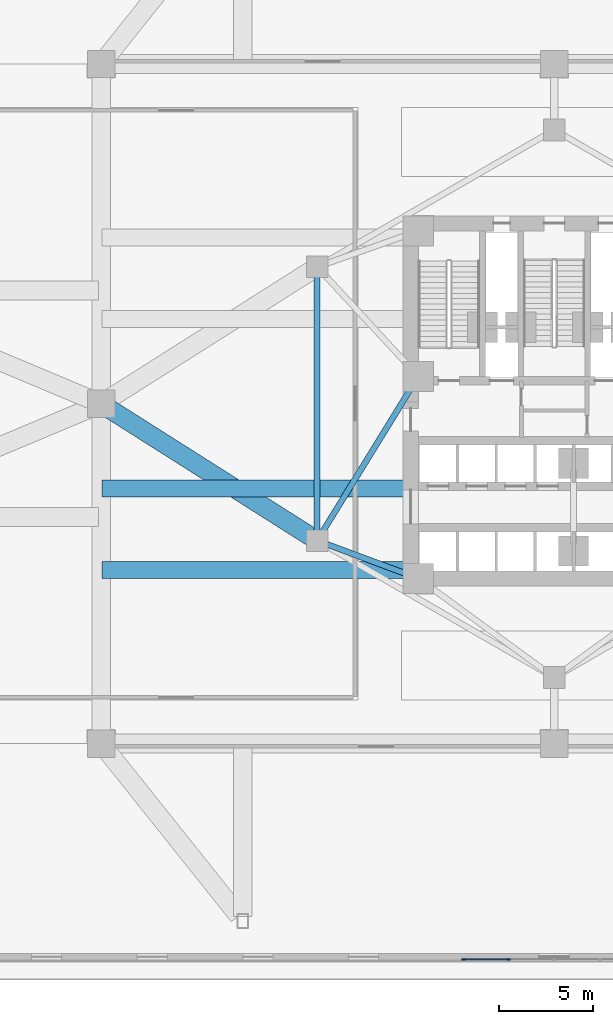
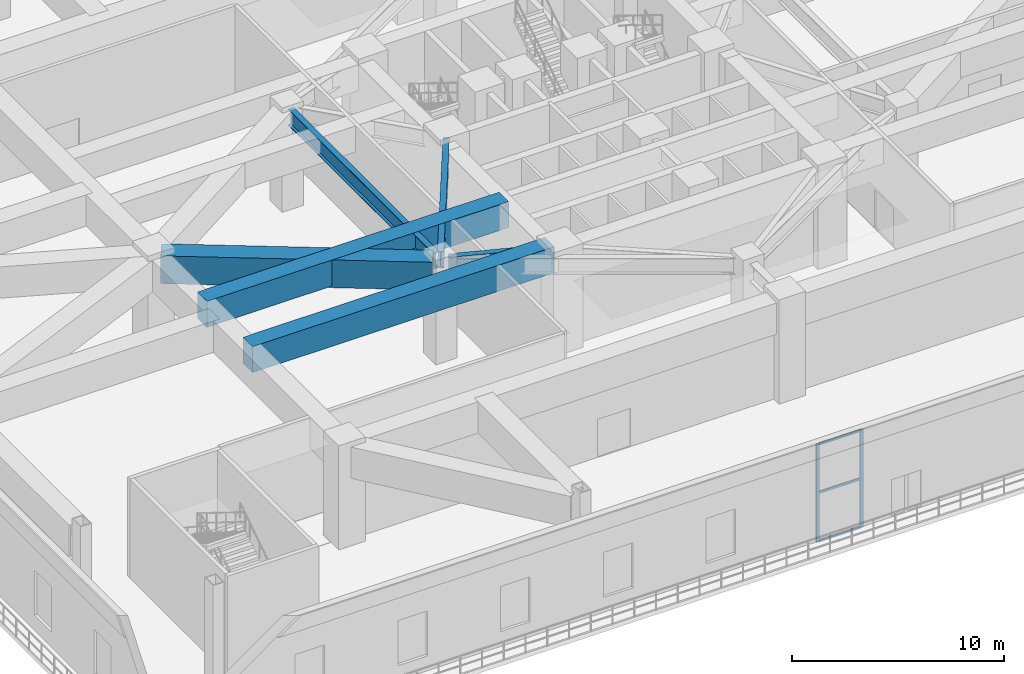
# One storey, part 3 of 25: 6 beams, 5 members, 1 element without a shape of its own.
"""IFC4 building model written with IfcOpenShell, lengths in metres."""

from ifc_helpers import new_model, si_unit, direction, frame, origin, origin_2d, place, context, subcontext, project, spatial, rectangle, hollow_rectangle, i_section, extrude, material, layer, layer_set, material_profile, profile_set, type_object, element, aggregate, save


model = new_model("IFC4")

# Units and contexts
model_context = context("Model", 3, precision=1e-05, world=origin(), true_north=direction((0.0, 1.0)))
body_context = subcontext(model_context, "Body", "Model", "MODEL_VIEW")
ifc_project = project(units=[si_unit("LENGTHUNIT", "METRE"), si_unit("AREAUNIT", "SQUARE_METRE"), si_unit("VOLUMEUNIT", "CUBIC_METRE"), si_unit("PLANEANGLEUNIT", "RADIAN"), si_unit("MASSUNIT", "GRAM", prefix="KILO")], contexts=[model_context])

# Site, building, storey
site_placement = place(None, origin())
site = spatial("IfcSite", under=ifc_project, at=site_placement, CompositionType="ELEMENT")
building_placement = place(site_placement, origin())
building = spatial("IfcBuilding", under=site, at=building_placement, Name="Apsidion Concourse Tower", CompositionType="ELEMENT")
storey_placement = place(building_placement, frame((0.0, 0.0, 11.5)))
storey = spatial("IfcBuildingStorey", under=building, at=storey_placement, Name="L02", CompositionType="ELEMENT", Elevation=11.5)

# Beams
ifc_material_1 = material(Name="Structural steel ASTM A992 Grade 50", Category="steel")
ifc_material_profile_1 = material_profile(ifc_material_1, i_section(OverallWidth=0.31005859375, OverallDepth=0.931884765625, WebThickness=0.02099609375, FlangeThickness=0.034423828125, at=origin_2d()), Name="W36X210")
ifc_profile_set_1 = profile_set([ifc_material_profile_1], Name="Structural steel ASTM A992 Grade 50")
beam_type_1 = type_object("IfcBeamType", Name="BM-G-W36", PredefinedType="USERDEFINED", material=ifc_profile_set_1)
beam_1_placement = place(storey_placement, frame((-12.185302734375, -7.389892578125, 5.23388671875), z_axis=(0.936913021145, -0.349562570664, 0.0), x_axis=(0.349562570664, 0.936913021145, 0.0)))
element("IfcBeam", 1, at=beam_1_placement, inside=storey, type_object=beam_type_1, Name="L02 Core Coupling Girder IC1-SC1", ObjectType="GIRDER", PredefinedType="USERDEFINED", context=body_context, shape_type="SweptSolid", body=[
    extrude(i_section(OverallWidth=0.31005859375, OverallDepth=0.931884765625, WebThickness=0.02099609375, FlangeThickness=0.034423828125, at=origin_2d()), origin(), (0.0, 0.0, 1.0), 4.921142578125),
])
beam_2_placement = place(storey_placement, frame((-12.35009765625, -6.909423828125, 5.23388671875), z_axis=(0.524524009763, 0.851395656074, 0.0), x_axis=(-0.851395656074, 0.524524009763, 0.0)))
element("IfcBeam", 2, at=beam_2_placement, inside=storey, type_object=beam_type_1, Name="L02 Core Coupling Girder IC1-SC6", ObjectType="GIRDER", PredefinedType="USERDEFINED", context=body_context, shape_type="SweptSolid", body=[
    extrude(i_section(OverallWidth=0.31005859375, OverallDepth=0.931884765625, WebThickness=0.02099609375, FlangeThickness=0.034423828125, at=origin_2d()), origin(), (0.0, 0.0, 1.0), 9.41845703125),
])
beam_3_placement = place(storey_placement, frame((-12.56005859375, -6.85009765625, 5.23388671875), z_axis=(0.0, 1.0, 0.0), x_axis=(-1.0, 0.0, 0.0)))
element("IfcBeam", 3, at=beam_3_placement, inside=storey, type_object=beam_type_1, Name="L02 Core Coupling Girder IC1-IC5", ObjectType="GIRDER", PredefinedType="USERDEFINED", context=body_context, shape_type="SweptSolid", body=[
    extrude(i_section(OverallWidth=0.31005859375, OverallDepth=0.931884765625, WebThickness=0.02099609375, FlangeThickness=0.034423828125, at=origin_2d()), origin(), (0.0, 0.0, 1.0), 13.7001953125),
])
ifc_material_2 = material(Name="Concrete C50/60", Category="concrete")
ifc_material_profile_2 = material_profile(ifc_material_2, rectangle(XDim=0.89990234375, YDim=1.5, at=origin_2d()), Name="RC 900x1500")
ifc_profile_set_2 = profile_set([ifc_material_profile_2], Name="Concrete C50/60")
beam_type_2 = type_object("IfcBeamType", Name="BM-TB-RC15", PredefinedType="T_BEAM", material=ifc_profile_set_2)
for number, where, z_axis, x_axis, name in (
    (4, (-23.949951171875, -8.800048828125, 4.949951171875), (1.0, 0.0, 0.0), (0.0, 1.0, 0.0), "L02 Convention Long-Span Tee Beam W1"),
    (5, (-23.949951171875, -4.5, 4.949951171875), (1.0, 0.0, 0.0), (0.0, 1.0, 0.0), "L02 Convention Long-Span Tee Beam W2"),
):
    element("IfcBeam", number, at=place(storey_placement, frame(where, z_axis=z_axis, x_axis=x_axis)), inside=storey, type_object=beam_type_2, Name=name, PredefinedType="T_BEAM", context=body_context, shape_type="SweptSolid", body=[
        extrude(rectangle(XDim=0.89990234375, YDim=1.5, at=origin_2d()), origin(), (0.0, 0.0, 1.0), 16.449951171875),
    ])
ifc_material_3 = material(Name="Structural steel ASTM A572 Grade 50", Category="steel")
ifc_material_profile_3 = material_profile(ifc_material_3, hollow_rectangle(XDim=1.0, YDim=1.60009765625, WallThickness=0.074951171875, at=origin_2d()), Name="BOX1600X1000X75")
ifc_profile_set_3 = profile_set([ifc_material_profile_3], Name="Structural steel ASTM A572 Grade 50")
beam_type_3 = type_object("IfcBeamType", Name="BM-TR-1600", PredefinedType="USERDEFINED", material=ifc_profile_set_3)
beam_4_placement = place(storey_placement, frame((-23.704345703125, -0.1875, 4.89990234375), z_axis=(0.844671254714, -0.535285411215, 0.0), x_axis=(0.535285411215, 0.844671254714, 0.0)))
element("IfcBeam", 6, at=beam_4_placement, inside=storey, type_object=beam_type_3, Name="L02 Podium Girder MC3-IC1", ObjectType="GIRDER", PredefinedType="USERDEFINED", context=body_context, shape_type="SweptSolid", body=[
    extrude(hollow_rectangle(XDim=1.0, YDim=1.60009765625, WallThickness=0.074951171875, at=origin_2d()), origin(), (0.0, 0.0, 1.0), 12.843505859375),
])

# Curtain wall, members
ifc_material_4 = material(Name="Insulated laminated low-E glass", Category="glass")
ifc_layer = layer(ifc_material_4, 0.199951171875)
ifc_layer_set = layer_set([ifc_layer], Name="Insulated laminated low-E glass")
curtain_wall_type = type_object("IfcCurtainWallType", Name="CW-SYS-02", PredefinedType="NOTDEFINED", material=ifc_layer_set)
curtain_wall_placement = place(storey_placement, origin())
curtain_wall = element("IfcCurtainWall", 7, at=curtain_wall_placement, inside=storey, type_object=curtain_wall_type, Name="L02 Podium Glazed Curtain Wall S", PredefinedType="NOTDEFINED")
ifc_material_5 = material(Name="Anodised aluminium EN AW-6063 T6", Category="aluminium")
ifc_material_profile_4 = material_profile(ifc_material_5, rectangle(XDim=0.06494140625, YDim=0.179931640625, at=origin_2d()), Name="ALU MULLION 65x180")
ifc_profile_set_4 = profile_set([ifc_material_profile_4], Name="Anodised aluminium EN AW-6063 T6")
member_type_1 = type_object("IfcMemberType", Name="CWM-65X180", PredefinedType="MULLION", material=ifc_profile_set_4)
member_1_placement = place(storey_placement, frame((-2.41796875, -29.43994140625, 0.0), z_axis=(0.0, 0.0, 1.0), x_axis=(0.0, -1.0, 0.0)))
member_1 = element("IfcMember", 8, at=member_1_placement, type_object=member_type_1, Name="CW-02 mullion 4", PredefinedType="MULLION", context=body_context, shape_type="SweptSolid", body=[
    extrude(rectangle(XDim=0.06494140625, YDim=0.179931640625, at=origin_2d()), origin(), (0.0, 0.0, 1.0), 5.64990234375),
])
member_2_placement = place(storey_placement, frame((-4.803466796875, -29.43994140625, 0.0), z_axis=(0.0, 0.0, 1.0), x_axis=(0.0, -1.0, 0.0)))
member_2 = element("IfcMember", 9, at=member_2_placement, type_object=member_type_1, Name="CW-02 mullion 5", PredefinedType="MULLION", context=body_context, shape_type="SweptSolid", body=[
    extrude(rectangle(XDim=0.06494140625, YDim=0.179931640625, at=origin_2d()), origin(), (0.0, 0.0, 1.0), 5.64990234375),
])
ifc_material_profile_5 = material_profile(ifc_material_5, rectangle(XDim=0.06494140625, YDim=0.139892578125, at=origin_2d()), Name="ALU TRANSOM 65x140")
ifc_profile_set_5 = profile_set([ifc_material_profile_5], Name="Anodised aluminium EN AW-6063 T6")
member_type_2 = type_object("IfcMemberType", Name="CWT-65X140", PredefinedType="USERDEFINED", material=ifc_profile_set_5)
member_3_placement = place(storey_placement, frame((-2.450439453125, -29.43994140625, 0.032470703125), z_axis=(-1.0, 0.0, 0.0), x_axis=(0.0, -1.0, 0.0)))
member_3 = element("IfcMember", 10, at=member_3_placement, type_object=member_type_2, Name="CW-02 transom 4.1", ObjectType="TRANSOM", PredefinedType="USERDEFINED", context=body_context, shape_type="SweptSolid", body=[
    extrude(rectangle(XDim=0.06494140625, YDim=0.139892578125, at=origin_2d()), origin(), (0.0, 0.0, 1.0), 2.320556640625),
])
member_4_placement = place(storey_placement, frame((-2.450439453125, -29.43994140625, 2.824951171875), z_axis=(-1.0, 0.0, 0.0), x_axis=(0.0, -1.0, 0.0)))
member_4 = element("IfcMember", 11, at=member_4_placement, type_object=member_type_2, Name="CW-02 transom 4.2", ObjectType="TRANSOM", PredefinedType="USERDEFINED", context=body_context, shape_type="SweptSolid", body=[
    extrude(rectangle(XDim=0.06494140625, YDim=0.139892578125, at=origin_2d()), origin(), (0.0, 0.0, 1.0), 2.320556640625),
])
member_5_placement = place(storey_placement, frame((-2.450439453125, -29.43994140625, 5.617431640625), z_axis=(-1.0, 0.0, 0.0), x_axis=(0.0, -1.0, 0.0)))
member_5 = element("IfcMember", 12, at=member_5_placement, type_object=member_type_2, Name="CW-02 transom 4.3", ObjectType="TRANSOM", PredefinedType="USERDEFINED", context=body_context, shape_type="SweptSolid", body=[
    extrude(rectangle(XDim=0.06494140625, YDim=0.139892578125, at=origin_2d()), origin(), (0.0, 0.0, 1.0), 2.320556640625),
])
aggregate(curtain_wall, [member_1, member_2, member_3, member_4, member_5])

save(model, "model.ifc")
